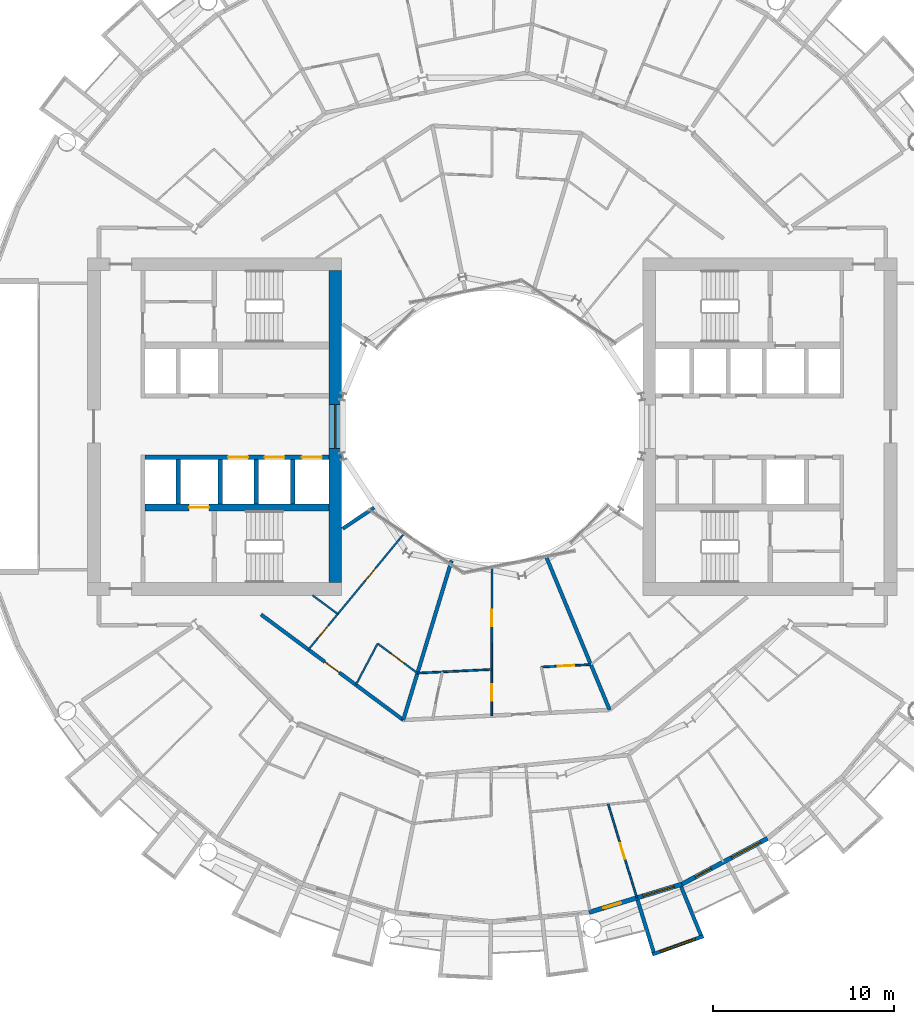
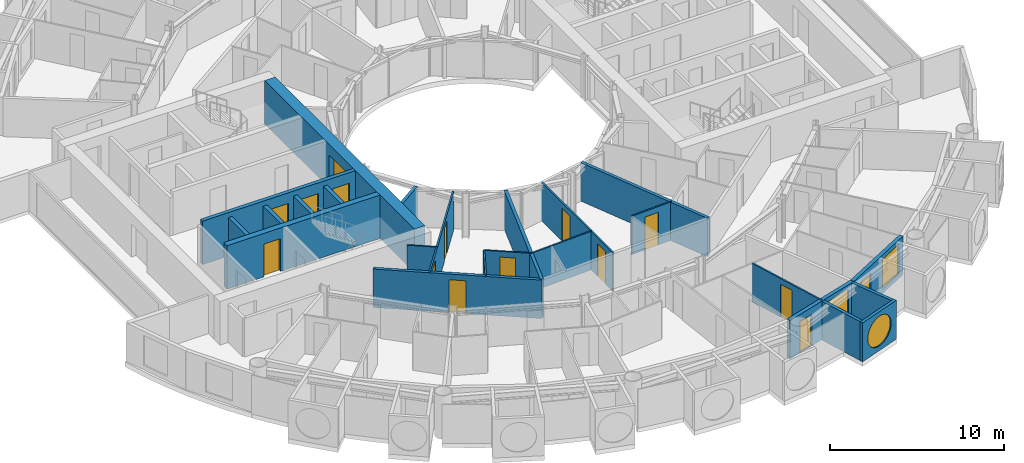
# One storey, part 15 of 26: 24 walls, 14 doors, 4 windows, 18 openings.
"""IFC4 building model written with IfcOpenShell, lengths in metres."""

from ifc_helpers import new_model, si_unit, direction, frame, frame_2d, origin, place, context, subcontext, project, spatial, rectangle, circle, extrude, material, layer, layer_set, type_object, element, fill, save


model = new_model("IFC4")

# Units and contexts
model_context = context("Model", 3, precision=1e-05, world=origin(), true_north=direction((0.0, 1.0)))
body_context = subcontext(model_context, "Body", "Model", "MODEL_VIEW")
ifc_project = project(units=[si_unit("LENGTHUNIT", "METRE"), si_unit("AREAUNIT", "SQUARE_METRE"), si_unit("VOLUMEUNIT", "CUBIC_METRE"), si_unit("PLANEANGLEUNIT", "RADIAN"), si_unit("MASSUNIT", "GRAM", prefix="KILO")], contexts=[model_context])

# Site, building, storey
site_placement = place(None, origin())
site = spatial("IfcSite", under=ifc_project, at=site_placement, CompositionType="ELEMENT")
building_placement = place(site_placement, origin())
building = spatial("IfcBuilding", under=site, at=building_placement, Name="Maasbend Ring Residences", CompositionType="ELEMENT")
storey_placement = place(building_placement, frame((0.0, 0.0, 66.64990234375)))
storey = spatial("IfcBuildingStorey", under=building, at=storey_placement, Name="L18", CompositionType="ELEMENT", Elevation=66.64990234375)

# Wall, openings, doors
ifc_material_1 = material(Name="Concrete C70/85", Category="concrete")
ifc_layer_1 = layer(ifc_material_1, 0.25)
ifc_layer_set_1 = layer_set([ifc_layer_1], Name="Concrete C70/85")
wall_type_1 = type_object("IfcWallType", Name="CORE WALL 250 C70/85", PredefinedType="SHEAR", material=ifc_layer_set_1)
wall_1_placement = place(storey_placement, frame((-9.0, -1.699951171875, 0.0), z_axis=(0.0, 0.0, 1.0), x_axis=(-1.0, 0.0, 0.0)))
wall_1 = element("IfcWall", 1, at=wall_1_placement, inside=storey, type_object=wall_type_1, Name="L18 core W wall SPN", PredefinedType="SHEAR", context=body_context, shape_type="SweptSolid", body=[
    extrude(rectangle(XDim=10.14990234375, YDim=0.25, at=frame_2d((5.074951171875, 0.0))), origin(), (0.0, 0.0, 1.0), 3.050048828125),
])
opening_1_placement = place(wall_1_placement, frame((0.387451171875, 0.0, 0.0)))
opening_1 = element("IfcOpeningElement", 2, at=opening_1_placement, cuts=wall_1, Name="Opening LD-W1801", PredefinedType="OPENING", context=body_context, shape_type="SweptSolid", body=[
    extrude(rectangle(XDim=1.10009765625, YDim=2.300048828125, at=frame_2d((0.550048828125, 1.14990234375))), frame((0.0, 0.135009765625, 0.0), z_axis=(0.0, -1.0, 0.0), x_axis=(1.0, 0.0, 0.0)), (0.0, 0.0, 1.0), 0.27001953125),
])
opening_2_placement = place(wall_1_placement, frame((2.449951171875, 0.0, 0.0)))
opening_2 = element("IfcOpeningElement", 3, at=opening_2_placement, cuts=wall_1, Name="Opening LD-W1802", PredefinedType="OPENING", context=body_context, shape_type="SweptSolid", body=[
    extrude(rectangle(XDim=1.10009765625, YDim=2.300048828125, at=frame_2d((0.550048828125, 1.14990234375))), frame((0.0, 0.135009765625, 0.0), z_axis=(0.0, -1.0, 0.0), x_axis=(1.0, 0.0, 0.0)), (0.0, 0.0, 1.0), 0.27001953125),
])
opening_3_placement = place(wall_1_placement, frame((4.449951171875, 0.0, 0.0)))
opening_3 = element("IfcOpeningElement", 4, at=opening_3_placement, cuts=wall_1, Name="Opening LD-W1803", PredefinedType="OPENING", context=body_context, shape_type="SweptSolid", body=[
    extrude(rectangle(XDim=1.10009765625, YDim=2.300048828125, at=frame_2d((0.550048828125, 1.14990234375))), frame((0.0, 0.135009765625, 0.0), z_axis=(0.0, -1.0, 0.0), x_axis=(1.0, 0.0, 0.0)), (0.0, 0.0, 1.0), 0.27001953125),
])
ifc_material_2 = material(Name="Stainless steel 316", Category="steel")
door_type_1 = type_object("IfcDoorType", Name="LANDING DOOR 1100 X 2300 FD60", OperationType="DOUBLE_DOOR_SLIDING", PredefinedType="DOOR", material=ifc_material_2)
door_1_placement = place(opening_1_placement, origin())
door_1 = element("IfcDoor", 5, at=door_1_placement, inside=storey, type_object=door_type_1, Name="Landing door LR-W1 L18", OperationType="DOUBLE_DOOR_SLIDING", OverallHeight=2.300048828125, OverallWidth=1.10009765625, PredefinedType="DOOR", context=body_context, shape_type="SweptSolid", body=[
    extrude(rectangle(XDim=1.10009765625, YDim=2.300048828125, at=frame_2d((0.550048828125, 1.14990234375))), frame((0.0, 0.02490234375, 0.0), z_axis=(0.0, -1.0, 0.0), x_axis=(1.0, 0.0, 0.0)), (0.0, 0.0, 1.0), 0.050048828125),
])
fill(opening_1, door_1)
door_2_placement = place(opening_2_placement, origin())
door_2 = element("IfcDoor", 6, at=door_2_placement, inside=storey, type_object=door_type_1, Name="Landing door LR-W2 L18", OperationType="DOUBLE_DOOR_SLIDING", OverallHeight=2.300048828125, OverallWidth=1.10009765625, PredefinedType="DOOR", context=body_context, shape_type="SweptSolid", body=[
    extrude(rectangle(XDim=1.10009765625, YDim=2.300048828125, at=frame_2d((0.550048828125, 1.14990234375))), frame((0.0, 0.02490234375, 0.0), z_axis=(0.0, -1.0, 0.0), x_axis=(1.0, 0.0, 0.0)), (0.0, 0.0, 1.0), 0.050048828125),
])
fill(opening_2, door_2)
door_3_placement = place(opening_3_placement, origin())
door_3 = element("IfcDoor", 7, at=door_3_placement, inside=storey, type_object=door_type_1, Name="Landing door LR-W3 L18", OperationType="DOUBLE_DOOR_SLIDING", OverallHeight=2.300048828125, OverallWidth=1.10009765625, PredefinedType="DOOR", context=body_context, shape_type="SweptSolid", body=[
    extrude(rectangle(XDim=1.10009765625, YDim=2.300048828125, at=frame_2d((0.550048828125, 1.14990234375))), frame((0.0, 0.02490234375, 0.0), z_axis=(0.0, -1.0, 0.0), x_axis=(1.0, 0.0, 0.0)), (0.0, 0.0, 1.0), 0.050048828125),
])
fill(opening_3, door_3)

# Wall, opening, door
ifc_material_3 = material(Name="Concrete C70/85", Category="concrete")
ifc_layer_2 = layer(ifc_material_3, 0.375)
ifc_layer_set_2 = layer_set([ifc_layer_2], Name="Concrete C70/85")
wall_type_2 = type_object("IfcWallType", Name="CORE WALL 375 C70/85", PredefinedType="SHEAR", material=ifc_layer_set_2)
wall_2_placement = place(storey_placement, frame((-9.0, -4.46240234375, 0.0), z_axis=(0.0, 0.0, 1.0), x_axis=(-1.0, 0.0, 0.0)))
wall_2 = element("IfcWall", 8, at=wall_2_placement, inside=storey, type_object=wall_type_2, Name="L18 core W wall BN", PredefinedType="SHEAR", context=body_context, shape_type="SweptSolid", body=[
    extrude(rectangle(XDim=10.14990234375, YDim=0.375, at=frame_2d((5.074951171875, 0.0))), origin(), (0.0, 0.0, 1.0), 3.050048828125),
])
opening_4_placement = place(wall_2_placement, frame((6.60009765625, 0.0, 0.0)))
opening_4 = element("IfcOpeningElement", 9, at=opening_4_placement, cuts=wall_2, Name="Opening LD-W1804", PredefinedType="OPENING", context=body_context, shape_type="SweptSolid", body=[
    extrude(rectangle(XDim=1.10009765625, YDim=2.300048828125, at=frame_2d((0.550048828125, 1.14990234375))), frame((0.0, 0.197509765625, 0.0), z_axis=(0.0, -1.0, 0.0), x_axis=(1.0, 0.0, 0.0)), (0.0, 0.0, 1.0), 0.39501953125),
])
door_4_placement = place(opening_4_placement, origin())
door_4 = element("IfcDoor", 10, at=door_4_placement, inside=storey, type_object=door_type_1, Name="Landing door FF-W L18", OperationType="DOUBLE_DOOR_SLIDING", OverallHeight=2.300048828125, OverallWidth=1.10009765625, PredefinedType="DOOR", context=body_context, shape_type="SweptSolid", body=[
    extrude(rectangle(XDim=1.10009765625, YDim=2.300048828125, at=frame_2d((0.550048828125, 1.14990234375))), frame((0.0, 0.02490234375, 0.0), z_axis=(0.0, -1.0, 0.0), x_axis=(1.0, 0.0, 0.0)), (0.0, 0.0, 1.0), 0.050048828125),
])
fill(opening_4, door_4)

# Wall, opening, window
ifc_material_4 = material(Name="Concrete C70/85", Category="concrete")
ifc_layer_3 = layer(ifc_material_4, 0.699951171875)
ifc_layer_set_3 = layer_set([ifc_layer_3], Name="Concrete C70/85")
wall_type_3 = type_object("IfcWallType", Name="CORE WALL 700 C70/85", PredefinedType="SHEAR", material=ifc_layer_set_3)
wall_3_placement = place(storey_placement, frame((-8.64990234375, 8.60009765625, 0.0), z_axis=(0.0, 0.0, 1.0), x_axis=(0.0, -1.0, 0.0)))
wall_3 = element("IfcWall", 11, at=wall_3_placement, inside=storey, type_object=wall_type_3, Name="L18 core W wall PIN", PredefinedType="SHEAR", context=body_context, shape_type="SweptSolid", body=[
    extrude(rectangle(XDim=17.2001953125, YDim=0.699951171875, at=frame_2d((8.60009765625, 0.0))), origin(), (0.0, 0.0, 1.0), 3.050048828125),
])
opening_5_placement = place(wall_3_placement, frame((7.39990234375, 0.0, 0.10009765625)))
opening_5 = element("IfcOpeningElement", 12, at=opening_5_placement, cuts=wall_3, Name="Opening W-W1801", PredefinedType="OPENING", context=body_context, shape_type="SweptSolid", body=[
    extrude(rectangle(XDim=2.39990234375, YDim=2.199951171875, at=frame_2d((1.199951171875, 1.10009765625))), frame((0.0, 0.35986328125, 0.0), z_axis=(0.0, -1.0, 0.0), x_axis=(1.0, 0.0, 0.0)), (0.0, 0.0, 1.0), 0.719970703125),
])
ifc_material_5 = material(Name="Aluminium frame and clear glass", Category="aluminium")
window_type_1 = type_object("IfcWindowType", Name="FIXED WINDOW 2400 X 2200", PartitioningType="SINGLE_PANEL", PredefinedType="WINDOW", material=ifc_material_5)
window_1_placement = place(opening_5_placement, origin())
window_1 = element("IfcWindow", 13, at=window_1_placement, inside=storey, type_object=window_type_1, Name="Lobby window L18", OverallHeight=2.199951171875, OverallWidth=2.39990234375, PartitioningType="SINGLE_PANEL", PredefinedType="WINDOW", context=body_context, shape_type="SweptSolid", body=[
    extrude(rectangle(XDim=2.39990234375, YDim=2.199951171875, at=frame_2d((1.199951171875, 1.10009765625))), frame((0.0, 0.030029296875, 0.0), z_axis=(0.0, -1.0, 0.0), x_axis=(1.0, 0.0, 0.0)), (0.0, 0.0, 1.0), 0.06005859375),
])
fill(opening_5, window_1)

# Wall, opening, door
ifc_material_6 = material(Name="Concrete C30/37", Category="concrete")
ifc_layer_4 = layer(ifc_material_6, 0.199951171875)
ifc_layer_set_4 = layer_set([ifc_layer_4], Name="Concrete C30/37")
wall_type_4 = type_object("IfcWallType", Name="CORRIDOR WALL 200 CONCRETE", PredefinedType="PARTITIONING", material=ifc_layer_set_4)
wall_4_placement = place(storey_placement, frame((-12.7451171875, -10.35791015625, 0.0), z_axis=(0.0, 0.0, 1.0), x_axis=(0.803191461888, -0.595720971219, 0.0)))
wall_4 = element("IfcWall", 14, at=wall_4_placement, inside=storey, type_object=wall_type_4, Name="U-L18-w016", PredefinedType="PARTITIONING", context=body_context, shape_type="SweptSolid", body=[
    extrude(rectangle(XDim=9.760009765625, YDim=0.199951171875, at=frame_2d((4.8798828125, 0.0))), origin(), (0.0, 0.0, 1.0), 2.7001953125),
])
opening_6_placement = place(wall_4_placement, frame((4.3798828125, 0.0, 0.0)))
opening_6 = element("IfcOpeningElement", 15, at=opening_6_placement, cuts=wall_4, Name="Opening D-1857", PredefinedType="OPENING", context=body_context, shape_type="SweptSolid", body=[
    extrude(rectangle(XDim=1.0, YDim=2.300048828125, at=frame_2d((0.5, 1.14990234375))), frame((0.0, 0.10986328125, 0.0), z_axis=(0.0, -1.0, 0.0), x_axis=(1.0, 0.0, 0.0)), (0.0, 0.0, 1.0), 0.219970703125),
])
ifc_material_7 = material(Name="Timber, fire-rated, painted", Category="wood")
door_type_2 = type_object("IfcDoorType", Name="FLAT ENTRANCE DOOR 1000 X 2300 FIRE-RATED", OperationType="NOTDEFINED", PredefinedType="DOOR", material=ifc_material_7)
door_5_placement = place(opening_6_placement, origin())
door_5 = element("IfcDoor", 16, at=door_5_placement, inside=storey, type_object=door_type_2, Name="D-1857", OperationType="SINGLE_SWING_RIGHT", OverallHeight=2.300048828125, OverallWidth=1.0, PredefinedType="DOOR", context=body_context, shape_type="SweptSolid", body=[
    extrude(rectangle(XDim=1.0, YDim=2.300048828125, at=frame_2d((0.5, 1.14990234375))), frame((0.0, 0.02490234375, 0.0), z_axis=(0.0, -1.0, 0.0), x_axis=(1.0, 0.0, 0.0)), (0.0, 0.0, 1.0), 0.050048828125),
])
fill(opening_6, door_5)

# Wall, opening, window
ifc_material_8 = material(Name="Pale anodised aluminium panel", Category="aluminium")
ifc_layer_5 = layer(ifc_material_8, 0.199951171875)
ifc_layer_set_5 = layer_set([ifc_layer_5], Name="EW-BOX")
wall_type_5 = type_object("IfcWallType", Name="EW-BOX", PredefinedType="SOLIDWALL", material=ifc_layer_set_5)
wall_5_placement = place(storey_placement, frame((8.820068359375, -29.093017578125, -0.02978515625), z_axis=(0.0, 0.0, 1.0), x_axis=(0.941461077774, 0.337121697664, 0.0)))
wall_5 = element("IfcWall", 17, at=wall_5_placement, inside=storey, type_object=wall_type_5, Name="Box front S14", PredefinedType="SOLIDWALL", context=body_context, shape_type="SweptSolid", body=[
    extrude(rectangle(XDim=2.9931640625, YDim=0.199951171875, at=frame_2d((1.49658203125, 0.0))), origin(), (0.0, 0.0, 1.0), 2.72998046875),
])
opening_7_placement = place(wall_5_placement, frame((0.45654296875, 0.0, 0.330078125)))
opening_7 = element("IfcOpeningElement", 18, at=opening_7_placement, cuts=wall_5, Name="Opening W-RD", PredefinedType="OPENING", context=body_context, shape_type="SweptSolid", body=[
    extrude(circle(Radius=1.0400390625, at=frame_2d((1.0400390625, 1.0400390625))), frame((0.0, 0.10986328125, 0.0), z_axis=(0.0, -1.0, 0.0), x_axis=(1.0, 0.0, 0.0)), (0.0, 0.0, 1.0), 0.219970703125),
])
ifc_material_9 = material(Name="Aluminium and clear glass", Category="aluminium")
window_type_2 = type_object("IfcWindowType", Name="W-RD", PartitioningType="SINGLE_PANEL", PredefinedType="WINDOW", material=ifc_material_9)
window_2_placement = place(opening_7_placement, origin())
window_2 = element("IfcWindow", 19, at=window_2_placement, inside=storey, type_object=window_type_2, Name="Round window S14", OverallHeight=2.080078125, OverallWidth=2.080078125, PartitioningType="SINGLE_PANEL", PredefinedType="WINDOW", context=body_context, shape_type="SweptSolid", body=[
    extrude(circle(Radius=1.0400390625, at=frame_2d((1.0400390625, 1.0400390625))), frame((0.0, 0.030029296875, 0.0), z_axis=(0.0, -1.0, 0.0), x_axis=(1.0, 0.0, 0.0)), (0.0, 0.0, 1.0), 0.06005859375),
])
fill(opening_7, window_2)

# Walls
wall_6_placement = place(storey_placement, frame((8.009033203125, -26.092041015625, -0.02978515625), z_axis=(0.0, 0.0, 1.0), x_axis=(0.293406695073, -0.955987715029, 0.0)))
element("IfcWall", 20, at=wall_6_placement, inside=storey, type_object=wall_type_5, Name="Box side wall S14 left", PredefinedType="SOLIDWALL", context=body_context, shape_type="SweptSolid", body=[
    extrude(rectangle(XDim=3.00634765625, YDim=0.199951171875, at=frame_2d((1.503173828125, 0.0))), origin(), (0.0, 0.0, 1.0), 2.72998046875),
])
wall_7_placement = place(storey_placement, frame((10.408935546875, -25.364013671875, -0.02978515625), z_axis=(0.0, 0.0, 1.0), x_axis=(0.379509886562, -0.925187681501, 0.0)))
element("IfcWall", 21, at=wall_7_placement, inside=storey, type_object=wall_type_5, Name="Box side wall S14 right", PredefinedType="SOLIDWALL", context=body_context, shape_type="SweptSolid", body=[
    extrude(rectangle(XDim=2.882568359375, YDim=0.199951171875, at=frame_2d((1.44140625, 0.0))), origin(), (0.0, 0.0, 1.0), 2.72998046875),
])

# Wall, openings, door, window
ifc_material_10 = material(Name="Aluminium clad insulated panel", Category="aluminium")
ifc_layer_6 = layer(ifc_material_10, 0.25)
ifc_layer_set_6 = layer_set([ifc_layer_6], Name="EW-GL")
wall_type_6 = type_object("IfcWallType", Name="EW-GL", PredefinedType="SOLIDWALL", material=ifc_layer_set_6)
wall_8_placement = place(storey_placement, frame((5.325927734375, -26.77490234375, 0.0), z_axis=(0.0, 0.0, 1.0), x_axis=(0.956965678721, 0.290201119486, 0.0)))
wall_8 = element("IfcWall", 22, at=wall_8_placement, inside=storey, type_object=wall_type_6, Name="External wall S07", PredefinedType="SOLIDWALL", context=body_context, shape_type="SweptSolid", body=[
    extrude(rectangle(XDim=5.351318359375, YDim=0.25, at=frame_2d((2.67578125, 0.0))), origin(), (0.0, 0.0, 1.0), 2.7001953125),
])
opening_8_placement = place(wall_8_placement, frame((0.841064453125, 0.0, 0.0)))
opening_8 = element("IfcOpeningElement", 23, at=opening_8_placement, cuts=wall_8, Name="Opening D-LG", PredefinedType="OPENING", context=body_context, shape_type="SweptSolid", body=[
    extrude(rectangle(XDim=1.0, YDim=2.199951171875, at=frame_2d((0.5, 1.10009765625))), frame((0.0, 0.135009765625, 0.0), z_axis=(0.0, -1.0, 0.0), x_axis=(1.0, 0.0, 0.0)), (0.0, 0.0, 1.0), 0.27001953125),
])
opening_9_placement = place(wall_8_placement, frame((3.110595703125, 0.0, 0.300048828125)))
opening_9 = element("IfcOpeningElement", 24, at=opening_9_placement, cuts=wall_8, Name="Opening W-BX", PredefinedType="OPENING", context=body_context, shape_type="SweptSolid", body=[
    extrude(rectangle(XDim=1.800048828125, YDim=2.10009765625, at=frame_2d((0.89990234375, 1.050048828125))), frame((0.0, 0.135009765625, 0.0), z_axis=(0.0, -1.0, 0.0), x_axis=(1.0, 0.0, 0.0)), (0.0, 0.0, 1.0), 0.27001953125),
])
ifc_material_11 = material(Name="Aluminium and clear glass", Category="aluminium")
door_type_3 = type_object("IfcDoorType", Name="D-LG", OperationType="SINGLE_SWING_LEFT", PredefinedType="DOOR", material=ifc_material_11)
door_6_placement = place(opening_8_placement, origin())
door_6 = element("IfcDoor", 25, at=door_6_placement, inside=storey, type_object=door_type_3, Name="Loggia door S13", OperationType="SINGLE_SWING_LEFT", OverallHeight=2.199951171875, OverallWidth=1.0, PredefinedType="DOOR", context=body_context, shape_type="SweptSolid", body=[
    extrude(rectangle(XDim=1.0, YDim=2.199951171875, at=frame_2d((0.5, 1.10009765625))), frame((0.0, 0.02490234375, 0.0), z_axis=(0.0, -1.0, 0.0), x_axis=(1.0, 0.0, 0.0)), (0.0, 0.0, 1.0), 0.050048828125),
])
fill(opening_8, door_6)
ifc_material_12 = material(Name="Aluminium and clear glass", Category="aluminium")
window_type_3 = type_object("IfcWindowType", Name="W-BX", PartitioningType="DOUBLE_PANEL_VERTICAL", PredefinedType="WINDOW", material=ifc_material_12)
window_3_placement = place(opening_9_placement, origin())
window_3 = element("IfcWindow", 26, at=window_3_placement, inside=storey, type_object=window_type_3, Name="Window S14 room to box", OverallHeight=2.10009765625, OverallWidth=1.800048828125, PartitioningType="SINGLE_PANEL", PredefinedType="WINDOW", context=body_context, shape_type="SweptSolid", body=[
    extrude(rectangle(XDim=1.800048828125, YDim=2.10009765625, at=frame_2d((0.89990234375, 1.050048828125))), frame((0.0, 0.030029296875, 0.0), z_axis=(0.0, -1.0, 0.0), x_axis=(1.0, 0.0, 0.0)), (0.0, 0.0, 1.0), 0.06005859375),
])
fill(opening_9, window_3)

wall_9_placement = place(storey_placement, frame((10.447021484375, -25.221923828125, 0.0), z_axis=(0.0, 0.0, 1.0), x_axis=(0.881915646801, 0.471407246368, 0.0)))
wall_9 = element("IfcWall", 27, at=wall_9_placement, inside=storey, type_object=wall_type_6, Name="External wall S08", PredefinedType="SOLIDWALL", context=body_context, shape_type="SweptSolid", body=[
    extrude(rectangle(XDim=5.35205078125, YDim=0.25, at=frame_2d((2.676025390625, 0.0))), origin(), (0.0, 0.0, 1.0), 2.7001953125),
])
opening_10_placement = place(wall_9_placement, frame((0.841064453125, 0.0, 0.0)))
opening_10 = element("IfcOpeningElement", 28, at=opening_10_placement, cuts=wall_9, Name="Opening D-LG", PredefinedType="OPENING", context=body_context, shape_type="SweptSolid", body=[
    extrude(rectangle(XDim=1.0, YDim=2.199951171875, at=frame_2d((0.5, 1.10009765625))), frame((0.0, 0.135009765625, 0.0), z_axis=(0.0, -1.0, 0.0), x_axis=(1.0, 0.0, 0.0)), (0.0, 0.0, 1.0), 0.27001953125),
])
opening_11_placement = place(wall_9_placement, frame((3.110595703125, 0.0, 0.300048828125)))
opening_11 = element("IfcOpeningElement", 29, at=opening_11_placement, cuts=wall_9, Name="Opening W-BX", PredefinedType="OPENING", context=body_context, shape_type="SweptSolid", body=[
    extrude(rectangle(XDim=1.800048828125, YDim=2.10009765625, at=frame_2d((0.89990234375, 1.050048828125))), frame((0.0, 0.135009765625, 0.0), z_axis=(0.0, -1.0, 0.0), x_axis=(1.0, 0.0, 0.0)), (0.0, 0.0, 1.0), 0.27001953125),
])
door_7_placement = place(opening_10_placement, origin())
door_7 = element("IfcDoor", 30, at=door_7_placement, inside=storey, type_object=door_type_3, Name="Loggia door S15", OperationType="SINGLE_SWING_LEFT", OverallHeight=2.199951171875, OverallWidth=1.0, PredefinedType="DOOR", context=body_context, shape_type="SweptSolid", body=[
    extrude(rectangle(XDim=1.0, YDim=2.199951171875, at=frame_2d((0.5, 1.10009765625))), frame((0.0, 0.02490234375, 0.0), z_axis=(0.0, -1.0, 0.0), x_axis=(1.0, 0.0, 0.0)), (0.0, 0.0, 1.0), 0.050048828125),
])
fill(opening_10, door_7)
window_4_placement = place(opening_11_placement, origin())
window_4 = element("IfcWindow", 31, at=window_4_placement, inside=storey, type_object=window_type_3, Name="Window S16 room to box", OverallHeight=2.10009765625, OverallWidth=1.800048828125, PartitioningType="SINGLE_PANEL", PredefinedType="WINDOW", context=body_context, shape_type="SweptSolid", body=[
    extrude(rectangle(XDim=1.800048828125, YDim=2.10009765625, at=frame_2d((0.89990234375, 1.050048828125))), frame((0.0, 0.030029296875, 0.0), z_axis=(0.0, -1.0, 0.0), x_axis=(1.0, 0.0, 0.0)), (0.0, 0.0, 1.0), 0.06005859375),
])
fill(opening_11, window_4)

# Wall
ifc_material_13 = material(Name="Gypsum board on steel studs", Category="steel")
ifc_layer_7 = layer(ifc_material_13, 0.10009765625)
ifc_layer_set_7 = layer_set([ifc_layer_7], Name="PARTITION 100 GYPSUM")
wall_type_7 = type_object("IfcWallType", Name="PARTITION 100 GYPSUM", PredefinedType="PARTITIONING", material=ifc_layer_set_7)
wall_10_placement = place(storey_placement, frame((-9.904052734375, -9.300048828125, 0.0), z_axis=(0.0, 0.0, 1.0), x_axis=(0.803135014325, -0.595797070121, 0.0)))
element("IfcWall", 32, at=wall_10_placement, inside=storey, type_object=wall_type_7, Name="U-L18-w020", PredefinedType="PARTITIONING", context=body_context, shape_type="SweptSolid", body=[
    extrude(rectangle(XDim=1.732177734375, YDim=0.10009765625, at=frame_2d((0.8662109375, 0.0))), origin(), (0.0, 0.0, 1.0), 2.7001953125),
])

# Wall, opening, door
wall_11_placement = place(storey_placement, frame((-6.319091796875, -11.9599609375, 0.0), z_axis=(0.0, 0.0, 1.0), x_axis=(0.803128348509, -0.595806055542, 0.0)))
wall_11 = element("IfcWall", 33, at=wall_11_placement, inside=storey, type_object=wall_type_7, Name="U-L18-w021", PredefinedType="PARTITIONING", context=body_context, shape_type="SweptSolid", body=[
    extrude(rectangle(XDim=2.734375, YDim=0.10009765625, at=frame_2d((1.3671875, 0.0))), origin(), (0.0, 0.0, 1.0), 2.7001953125),
])
opening_12_placement = place(wall_11_placement, frame((0.91796875, 0.0, 0.0)))
opening_12 = element("IfcOpeningElement", 34, at=opening_12_placement, cuts=wall_11, Name="Opening D-1858", PredefinedType="OPENING", context=body_context, shape_type="SweptSolid", body=[
    extrude(rectangle(XDim=0.89990234375, YDim=2.300048828125, at=frame_2d((0.449951171875, 1.14990234375))), frame((0.0, 0.06005859375, 0.0), z_axis=(0.0, -1.0, 0.0), x_axis=(1.0, 0.0, 0.0)), (0.0, 0.0, 1.0), 0.1201171875),
])
ifc_material_14 = material(Name="Timber, painted", Category="wood")
door_type_4 = type_object("IfcDoorType", Name="INTERNAL DOOR 900 X 2300", OperationType="NOTDEFINED", PredefinedType="DOOR", material=ifc_material_14)
door_8_placement = place(opening_12_placement, origin())
door_8 = element("IfcDoor", 35, at=door_8_placement, inside=storey, type_object=door_type_4, Name="D-1858", OperationType="SINGLE_SWING_RIGHT", OverallHeight=2.300048828125, OverallWidth=0.89990234375, PredefinedType="DOOR", context=body_context, shape_type="SweptSolid", body=[
    extrude(rectangle(XDim=0.89990234375, YDim=2.300048828125, at=frame_2d((0.449951171875, 1.14990234375))), frame((0.0, 0.02490234375, 0.0), z_axis=(0.0, -1.0, 0.0), x_axis=(1.0, 0.0, 0.0)), (0.0, 0.0, 1.0), 0.050048828125),
])
fill(opening_12, door_8)

# Wall
wall_12_placement = place(storey_placement, frame((-4.132080078125, -13.589111328125, 0.0), z_axis=(0.0, 0.0, 1.0), x_axis=(0.998789681748, 0.049185075323, 0.0)))
element("IfcWall", 36, at=wall_12_placement, inside=storey, type_object=wall_type_7, Name="U-L18-w022", PredefinedType="PARTITIONING", context=body_context, shape_type="SweptSolid", body=[
    extrude(rectangle(XDim=4.10986328125, YDim=0.10009765625, at=frame_2d((2.054931640625, 0.0))), origin(), (0.0, 0.0, 1.0), 2.7001953125),
])

# Wall, opening, door
wall_13_placement = place(storey_placement, frame((2.7041015625, -13.2529296875, 0.0), z_axis=(0.0, 0.0, 1.0), x_axis=(0.998796928508, 0.049037695739, 0.0)))
wall_13 = element("IfcWall", 37, at=wall_13_placement, inside=storey, type_object=wall_type_7, Name="U-L18-w023", PredefinedType="PARTITIONING", context=body_context, shape_type="SweptSolid", body=[
    extrude(rectangle(XDim=2.733154296875, YDim=0.10009765625, at=frame_2d((1.36669921875, 0.0))), origin(), (0.0, 0.0, 1.0), 2.7001953125),
])
opening_13_placement = place(wall_13_placement, frame((0.9169921875, 0.0, 0.0)))
opening_13 = element("IfcOpeningElement", 38, at=opening_13_placement, cuts=wall_13, Name="Opening D-1862", PredefinedType="OPENING", context=body_context, shape_type="SweptSolid", body=[
    extrude(rectangle(XDim=0.89990234375, YDim=2.300048828125, at=frame_2d((0.449951171875, 1.14990234375))), frame((0.0, 0.06005859375, 0.0), z_axis=(0.0, -1.0, 0.0), x_axis=(1.0, 0.0, 0.0)), (0.0, 0.0, 1.0), 0.1201171875),
])
door_9_placement = place(opening_13_placement, origin())
door_9 = element("IfcDoor", 39, at=door_9_placement, inside=storey, type_object=door_type_4, Name="D-1862", OperationType="SINGLE_SWING_RIGHT", OverallHeight=2.300048828125, OverallWidth=0.89990234375, PredefinedType="DOOR", context=body_context, shape_type="SweptSolid", body=[
    extrude(rectangle(XDim=0.89990234375, YDim=2.300048828125, at=frame_2d((0.449951171875, 1.14990234375))), frame((0.0, 0.02490234375, 0.0), z_axis=(0.0, -1.0, 0.0), x_axis=(1.0, 0.0, 0.0)), (0.0, 0.0, 1.0), 0.050048828125),
])
fill(opening_13, door_9)

# Wall, openings, doors
wall_14_placement = place(storey_placement, frame((-10.132080078125, -12.2958984375, 0.0), z_axis=(0.0, 0.0, 1.0), x_axis=(0.636105207978, 0.771602335652, 0.0)))
wall_14 = element("IfcWall", 40, at=wall_14_placement, inside=storey, type_object=wall_type_7, Name="U-L18-w042", PredefinedType="PARTITIONING", context=body_context, shape_type="SweptSolid", body=[
    extrude(rectangle(XDim=8.212646484375, YDim=0.10009765625, at=frame_2d((4.1064453125, 0.0))), origin(), (0.0, 0.0, 1.0), 2.7001953125),
])
opening_14_placement = place(wall_14_placement, frame((0.821044921875, 0.0, 0.0)))
opening_14 = element("IfcOpeningElement", 41, at=opening_14_placement, cuts=wall_14, Name="Opening D-1859", PredefinedType="OPENING", context=body_context, shape_type="SweptSolid", body=[
    extrude(rectangle(XDim=0.89990234375, YDim=2.300048828125, at=frame_2d((0.449951171875, 1.14990234375))), frame((0.0, 0.06005859375, 0.0), z_axis=(0.0, -1.0, 0.0), x_axis=(1.0, 0.0, 0.0)), (0.0, 0.0, 1.0), 0.1201171875),
])
opening_15_placement = place(wall_14_placement, frame((4.928955078125, 0.0, 0.0)))
opening_15 = element("IfcOpeningElement", 42, at=opening_15_placement, cuts=wall_14, Name="Opening D-1860", PredefinedType="OPENING", context=body_context, shape_type="SweptSolid", body=[
    extrude(rectangle(XDim=0.89990234375, YDim=2.300048828125, at=frame_2d((0.449951171875, 1.14990234375))), frame((0.0, 0.06005859375, 0.0), z_axis=(0.0, -1.0, 0.0), x_axis=(1.0, 0.0, 0.0)), (0.0, 0.0, 1.0), 0.1201171875),
])
door_10_placement = place(opening_14_placement, origin())
door_10 = element("IfcDoor", 43, at=door_10_placement, inside=storey, type_object=door_type_4, Name="D-1859", OperationType="SINGLE_SWING_LEFT", OverallHeight=2.300048828125, OverallWidth=0.89990234375, PredefinedType="DOOR", context=body_context, shape_type="SweptSolid", body=[
    extrude(rectangle(XDim=0.89990234375, YDim=2.300048828125, at=frame_2d((0.449951171875, 1.14990234375))), frame((0.0, 0.02490234375, 0.0), z_axis=(0.0, -1.0, 0.0), x_axis=(1.0, 0.0, 0.0)), (0.0, 0.0, 1.0), 0.050048828125),
])
fill(opening_14, door_10)
door_11_placement = place(opening_15_placement, origin())
door_11 = element("IfcDoor", 44, at=door_11_placement, inside=storey, type_object=door_type_4, Name="D-1860", OperationType="SINGLE_SWING_RIGHT", OverallHeight=2.300048828125, OverallWidth=0.89990234375, PredefinedType="DOOR", context=body_context, shape_type="SweptSolid", body=[
    extrude(rectangle(XDim=0.89990234375, YDim=2.300048828125, at=frame_2d((0.449951171875, 1.14990234375))), frame((0.0, 0.02490234375, 0.0), z_axis=(0.0, -1.0, 0.0), x_axis=(1.0, 0.0, 0.0)), (0.0, 0.0, 1.0), 0.050048828125),
])
fill(opening_15, door_11)

# Wall
wall_15_placement = place(storey_placement, frame((-7.51708984375, -14.235107421875, 0.0), z_axis=(0.0, 0.0, 1.0), x_axis=(0.467037016128, 0.884237765291, 0.0)))
element("IfcWall", 45, at=wall_15_placement, inside=storey, type_object=wall_type_7, Name="U-L18-w046", PredefinedType="PARTITIONING", context=body_context, shape_type="SweptSolid", body=[
    extrude(rectangle(XDim=2.57177734375, YDim=0.10009765625, at=frame_2d((1.285888671875, 0.0))), origin(), (0.0, 0.0, 1.0), 2.7001953125),
])

# Wall, openings, doors
wall_16_placement = place(storey_placement, frame((-0.031982421875, -15.93310546875, 0.0), z_axis=(0.0, 0.0, 1.0), x_axis=(0.002080789764, 0.999997835155, 0.0)))
wall_16 = element("IfcWall", 46, at=wall_16_placement, inside=storey, type_object=wall_type_7, Name="U-L18-w059", PredefinedType="PARTITIONING", context=body_context, shape_type="SweptSolid", body=[
    extrude(rectangle(XDim=8.213134765625, YDim=0.10009765625, at=frame_2d((4.1064453125, 0.0))), origin(), (0.0, 0.0, 1.0), 2.7001953125),
])
opening_16_placement = place(wall_16_placement, frame((0.822998046875, 0.0, 0.0)))
opening_16 = element("IfcOpeningElement", 47, at=opening_16_placement, cuts=wall_16, Name="Opening D-1863", PredefinedType="OPENING", context=body_context, shape_type="SweptSolid", body=[
    extrude(rectangle(XDim=0.89990234375, YDim=2.300048828125, at=frame_2d((0.449951171875, 1.14990234375))), frame((0.0, 0.06005859375, 0.0), z_axis=(0.0, -1.0, 0.0), x_axis=(1.0, 0.0, 0.0)), (0.0, 0.0, 1.0), 0.1201171875),
])
opening_17_placement = place(wall_16_placement, frame((4.929931640625, 0.0, 0.0)))
opening_17 = element("IfcOpeningElement", 48, at=opening_17_placement, cuts=wall_16, Name="Opening D-1865", PredefinedType="OPENING", context=body_context, shape_type="SweptSolid", body=[
    extrude(rectangle(XDim=0.89990234375, YDim=2.300048828125, at=frame_2d((0.449951171875, 1.14990234375))), frame((0.0, 0.06005859375, 0.0), z_axis=(0.0, -1.0, 0.0), x_axis=(1.0, 0.0, 0.0)), (0.0, 0.0, 1.0), 0.1201171875),
])
door_12_placement = place(opening_16_placement, origin())
door_12 = element("IfcDoor", 49, at=door_12_placement, inside=storey, type_object=door_type_4, Name="D-1863", OperationType="SINGLE_SWING_LEFT", OverallHeight=2.300048828125, OverallWidth=0.89990234375, PredefinedType="DOOR", context=body_context, shape_type="SweptSolid", body=[
    extrude(rectangle(XDim=0.89990234375, YDim=2.300048828125, at=frame_2d((0.449951171875, 1.14990234375))), frame((0.0, 0.02490234375, 0.0), z_axis=(0.0, -1.0, 0.0), x_axis=(1.0, 0.0, 0.0)), (0.0, 0.0, 1.0), 0.050048828125),
])
fill(opening_16, door_12)
door_13_placement = place(opening_17_placement, origin())
door_13 = element("IfcDoor", 50, at=door_13_placement, inside=storey, type_object=door_type_4, Name="D-1865", OperationType="SINGLE_SWING_RIGHT", OverallHeight=2.300048828125, OverallWidth=0.89990234375, PredefinedType="DOOR", context=body_context, shape_type="SweptSolid", body=[
    extrude(rectangle(XDim=0.89990234375, YDim=2.300048828125, at=frame_2d((0.449951171875, 1.14990234375))), frame((0.0, 0.02490234375, 0.0), z_axis=(0.0, -1.0, 0.0), x_axis=(1.0, 0.0, 0.0)), (0.0, 0.0, 1.0), 0.050048828125),
])
fill(opening_17, door_13)

# Wall, opening, door
wall_17_placement = place(storey_placement, frame((6.385986328125, -20.81396484375, 0.0), z_axis=(0.0, 0.0, 1.0), x_axis=(0.293311091719, -0.956017051874, 0.0)))
wall_17 = element("IfcWall", 51, at=wall_17_placement, inside=storey, type_object=wall_type_7, Name="U-L18-w073", PredefinedType="PARTITIONING", context=body_context, shape_type="SweptSolid", body=[
    extrude(rectangle(XDim=5.403564453125, YDim=0.10009765625, at=frame_2d((2.70166015625, 0.0))), origin(), (0.0, 0.0, 1.0), 2.7001953125),
])
opening_18_placement = place(wall_17_placement, frame((2.251953125, 0.0, 0.0)))
opening_18 = element("IfcOpeningElement", 52, at=opening_18_placement, cuts=wall_17, Name="Opening D-1849", PredefinedType="OPENING", context=body_context, shape_type="SweptSolid", body=[
    extrude(rectangle(XDim=0.89990234375, YDim=2.300048828125, at=frame_2d((0.449951171875, 1.14990234375))), frame((0.0, 0.06005859375, 0.0), z_axis=(0.0, -1.0, 0.0), x_axis=(1.0, 0.0, 0.0)), (0.0, 0.0, 1.0), 0.1201171875),
])
door_14_placement = place(opening_18_placement, origin())
door_14 = element("IfcDoor", 53, at=door_14_placement, inside=storey, type_object=door_type_4, Name="D-1849", OperationType="SINGLE_SWING_RIGHT", OverallHeight=2.300048828125, OverallWidth=0.89990234375, PredefinedType="DOOR", context=body_context, shape_type="SweptSolid", body=[
    extrude(rectangle(XDim=0.89990234375, YDim=2.300048828125, at=frame_2d((0.449951171875, 1.14990234375))), frame((0.0, 0.02490234375, 0.0), z_axis=(0.0, -1.0, 0.0), x_axis=(1.0, 0.0, 0.0)), (0.0, 0.0, 1.0), 0.050048828125),
])
fill(opening_18, door_14)

# Walls
ifc_material_15 = material(Name="Concrete C30/37", Category="concrete")
ifc_layer_8 = layer(ifc_material_15, 0.199951171875)
ifc_layer_set_8 = layer_set([ifc_layer_8], Name="Concrete C30/37")
wall_type_8 = type_object("IfcWallType", Name="PARTY WALL 200 CONCRETE", PredefinedType="PARTITIONING", material=ifc_layer_set_8)
wall_18_placement = place(storey_placement, frame((-6.512939453125, -4.471923828125, 0.0), z_axis=(0.0, 0.0, 1.0), x_axis=(-0.831382204863, -0.555701025225, 0.0)))
element("IfcWall", 54, at=wall_18_placement, inside=storey, type_object=wall_type_8, Name="U-L18-w026", PredefinedType="PARTITIONING", context=body_context, shape_type="SweptSolid", body=[
    extrude(rectangle(XDim=2.08203125, YDim=0.199951171875, at=frame_2d((1.041015625, 0.0))), origin(), (0.0, 0.0, 1.0), 2.7001953125),
])
wall_19_placement = place(storey_placement, frame((-4.906005859375, -16.172119140625, 0.0), z_axis=(0.0, 0.0, 1.0), x_axis=(0.290420725025, 0.956899055531, 0.0)))
element("IfcWall", 55, at=wall_19_placement, inside=storey, type_object=wall_type_8, Name="U-L18-w051", PredefinedType="PARTITIONING", context=body_context, shape_type="SweptSolid", body=[
    extrude(rectangle(XDim=9.179931640625, YDim=0.199951171875, at=frame_2d((4.58984375, 0.0))), origin(), (0.0, 0.0, 1.0), 2.7001953125),
])
wall_20_placement = place(storey_placement, frame((2.9541015625, -7.132080078125, 0.0), z_axis=(0.0, 0.0, 1.0), x_axis=(0.382646942224, -0.923894646378, 0.0)))
element("IfcWall", 56, at=wall_20_placement, inside=storey, type_object=wall_type_8, Name="U-L18-w066", PredefinedType="PARTITIONING", context=body_context, shape_type="SweptSolid", body=[
    extrude(rectangle(XDim=9.1806640625, YDim=0.199951171875, at=frame_2d((4.59033203125, 0.0))), origin(), (0.0, 0.0, 1.0), 2.7001953125),
])
ifc_material_16 = material(Name="Concrete C30/37", Category="concrete")
ifc_layer_9 = layer(ifc_material_16, 0.25)
ifc_layer_set_9 = layer_set([ifc_layer_9], Name="Concrete C30/37")
wall_type_9 = type_object("IfcWallType", Name="SHAFT WALL 250 EI 120", PredefinedType="SOLIDWALL", material=ifc_layer_set_9)
for number, where, z_axis, x_axis, name in (
    (57, (-15.0, -1.824951171875, 0.0), (0.0, 0.0, 1.0), (0.0, -1.0, 0.0), "L18 core W wall D150N"),
    (58, (-17.300048828125, -1.824951171875, 0.0), (0.0, 0.0, 1.0), (0.0, -1.0, 0.0), "L18 core W wall D173N"),
    (59, (-11.0, -1.824951171875, 0.0), (0.0, 0.0, 1.0), (0.0, -1.0, 0.0), "L18 core W wall D110N"),
    (60, (-13.0, -1.824951171875, 0.0), (0.0, 0.0, 1.0), (0.0, -1.0, 0.0), "L18 core W wall D130N"),
):
    element("IfcWall", number, at=place(storey_placement, frame(where, z_axis=z_axis, x_axis=x_axis)), inside=storey, type_object=wall_type_9, Name=name, PredefinedType="SOLIDWALL", context=body_context, shape_type="SweptSolid", body=[
        extrude(rectangle(XDim=2.449951171875, YDim=0.25, at=frame_2d((1.22509765625, 0.0))), origin(), (0.0, 0.0, 1.0), 2.7001953125),
    ])

save(model, "model.ifc")
